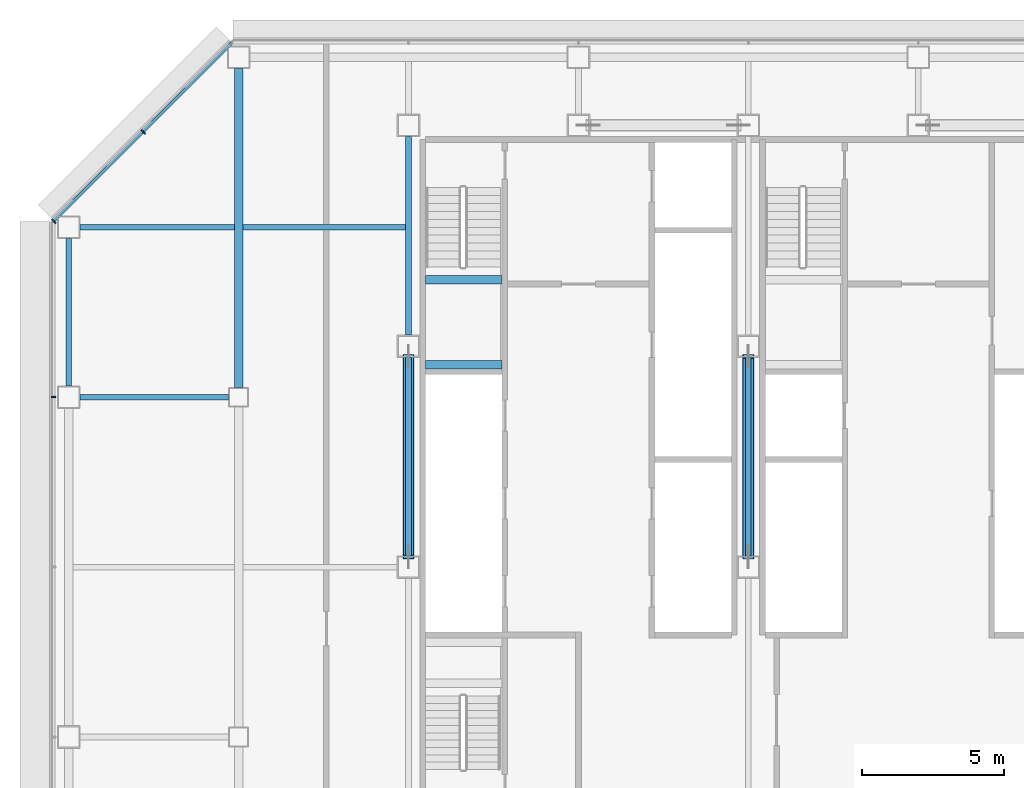
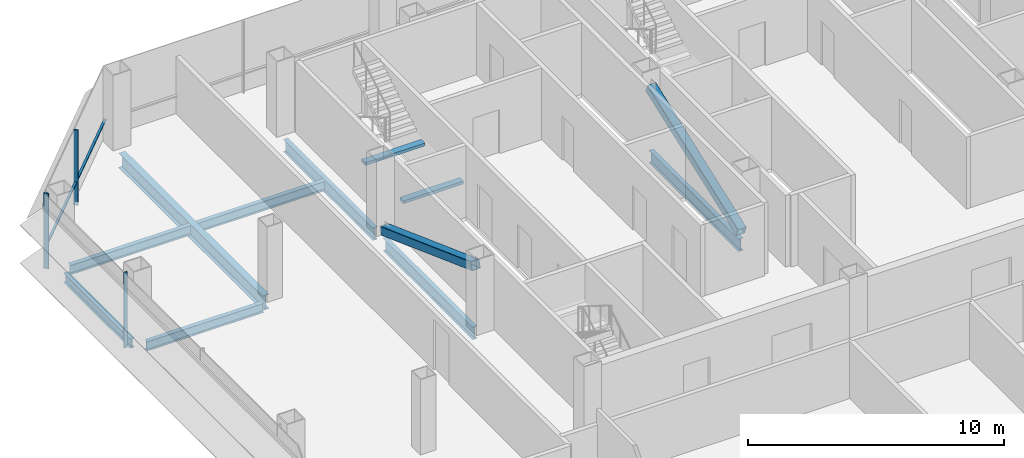
# One storey, part 11 of 25: 10 beams, 6 members, 2 elements without a shape of their own.
"""IFC4 building model written with IfcOpenShell, lengths in metres."""

from ifc_helpers import new_model, si_unit, direction, frame, origin, origin_2d, place, context, subcontext, project, spatial, rectangle, hollow_rectangle, i_section, extrude, material, material_profile, profile_set, type_object, element, aggregate, save


model = new_model("IFC4")

# Units and contexts
model_context = context("Model", 3, precision=1e-05, world=origin(), true_north=direction((0.0, 1.0)))
body_context = subcontext(model_context, "Body", "Model", "MODEL_VIEW")
ifc_project = project(units=[si_unit("LENGTHUNIT", "METRE"), si_unit("AREAUNIT", "SQUARE_METRE"), si_unit("VOLUMEUNIT", "CUBIC_METRE"), si_unit("PLANEANGLEUNIT", "RADIAN"), si_unit("MASSUNIT", "GRAM", prefix="KILO")], contexts=[model_context])

# Site, building, storey
site_placement = place(None, origin())
site = spatial("IfcSite", under=ifc_project, at=site_placement, CompositionType="ELEMENT")
building_placement = place(site_placement, origin())
building = spatial("IfcBuilding", under=site, at=building_placement, Name="Sorahane Residences", CompositionType="ELEMENT")
storey_placement = place(building_placement, frame((0.0, 0.0, 107.0)))
storey = spatial("IfcBuildingStorey", under=building, at=storey_placement, Name="L23", CompositionType="ELEMENT", Elevation=107.0)

# Members
ifc_material_1 = material(Name="Steel Q355B", Category="steel")
ifc_material_profile_1 = material_profile(ifc_material_1, hollow_rectangle(XDim=0.39990234375, YDim=0.39990234375, WallThickness=0.02001953125, InnerFilletRadius=0.010009765625, OuterFilletRadius=0.030029296875, at=origin_2d()), Name="RHS 400x400x20")
ifc_profile_set_1 = profile_set([ifc_material_profile_1], Name="Steel Q355B")
member_type_1 = type_object("IfcMemberType", Name="Core brace RHS 400x400x20 Q355B", PredefinedType="BRACE", material=ifc_profile_set_1)
for number, where, z_axis, x_axis, name in (
    (1, (6.0, 37.44140625, 0.184814453125), (0.0, -0.938733651637, 0.344643484319), (1.0, 0.0, 0.0), "Core brace L23 x6-2"),
    (2, (18.0, 30.358642578125, 0.184814453125), (0.0, 0.938733651637, 0.344643484319), (-1.0, 0.0, 0.0), "Core brace L23 x18-1"),
):
    element("IfcMember", number, at=place(storey_placement, frame(where, z_axis=z_axis, x_axis=x_axis)), inside=storey, type_object=member_type_1, Name=name, PredefinedType="BRACE", context=body_context, shape_type="SweptSolid", body=[
        extrude(hollow_rectangle(XDim=0.39990234375, YDim=0.39990234375, WallThickness=0.02001953125, InnerFilletRadius=0.010009765625, OuterFilletRadius=0.030029296875, at=origin_2d()), origin(), (0.0, 0.0, 1.0), 7.544921875),
    ])

# Curtain wall, member
ifc_material_2 = material(Name="Dark low-e glass and black anodised aluminium", Category="aluminium")
curtain_wall_type_1 = type_object("IfcCurtainWallType", Name="Curtain wall CW-1 Typical unitised wall", PredefinedType="NOTDEFINED", material=ifc_material_2)
curtain_wall_1_placement = place(storey_placement, origin())
curtain_wall_1 = element("IfcCurtainWall", 3, at=curtain_wall_1_placement, inside=storey, type_object=curtain_wall_type_1, Name="CW-1 curtain wall L23 W1", PredefinedType="NOTDEFINED")
ifc_material_3 = material(Name="Black anodised aluminium", Category="aluminium")
ifc_material_profile_2 = material_profile(ifc_material_3, rectangle(XDim=0.159912109375, YDim=0.050048828125, at=origin_2d()), Name="Curtain wall mullion CW-1 black anodised aluminium 50x160")
ifc_profile_set_2 = profile_set([ifc_material_profile_2], Name="Black anodised aluminium")
member_type_2 = type_object("IfcMemberType", Name="Curtain wall mullion CW-1 black anodised aluminium 50x160", PredefinedType="MULLION", material=ifc_profile_set_2)
member_1_placement = place(storey_placement, frame((-6.5400390625, 36.0, -0.179931640625), z_axis=(0.0, 0.0, 1.0), x_axis=(-1.0, 0.0, 0.0)))
member_1 = element("IfcMember", 4, at=member_1_placement, type_object=member_type_2, Name="CW-1 mullion L23 W1.2", PredefinedType="MULLION", context=body_context, shape_type="SweptSolid", body=[
    extrude(rectangle(XDim=0.159912109375, YDim=0.050048828125, at=origin_2d()), origin(), (0.0, 0.0, 1.0), 3.599853515625),
])
aggregate(curtain_wall_1, [member_1])

# Curtain wall, members
ifc_material_4 = material(Name="Dark low-e glass and black anodised aluminium", Category="aluminium")
curtain_wall_type_2 = type_object("IfcCurtainWallType", Name="Curtain wall CW-2 Chamfer unitised wall", PredefinedType="NOTDEFINED", material=ifc_material_4)
curtain_wall_2_placement = place(storey_placement, origin())
curtain_wall_2 = element("IfcCurtainWall", 5, at=curtain_wall_2_placement, inside=storey, type_object=curtain_wall_type_2, Name="CW-2 curtain wall L23 NW1", PredefinedType="NOTDEFINED")
ifc_material_5 = material(Name="Black anodised aluminium", Category="aluminium")
ifc_material_profile_3 = material_profile(ifc_material_5, rectangle(XDim=0.199951171875, YDim=0.050048828125, at=origin_2d()), Name="Curtain wall mullion CW-2 black anodised aluminium 50x200")
ifc_profile_set_3 = profile_set([ifc_material_profile_3], Name="Black anodised aluminium")
member_type_3 = type_object("IfcMemberType", Name="Curtain wall mullion CW-2 black anodised aluminium 50x200", PredefinedType="MULLION", material=ifc_profile_set_3)
member_2_placement = place(storey_placement, frame((-3.36767578125, 45.36767578125, -0.179931640625), z_axis=(0.0, 0.0, 1.0), x_axis=(-0.707106781187, 0.707106781187, 0.0)))
member_2 = element("IfcMember", 6, at=member_2_placement, type_object=member_type_3, Name="CW-2 mullion L23 NW1.2", PredefinedType="MULLION", context=body_context, shape_type="SweptSolid", body=[
    extrude(rectangle(XDim=0.199951171875, YDim=0.050048828125, at=origin_2d()), origin(), (0.0, 0.0, 1.0), 3.599853515625),
])
member_3_placement = place(storey_placement, frame((-6.525634765625, 42.209716796875, -0.179931640625), z_axis=(0.0, 0.0, 1.0), x_axis=(-0.707106781187, 0.707106781187, 0.0)))
member_3 = element("IfcMember", 7, at=member_3_placement, type_object=member_type_3, Name="CW-2 mullion L23 NW1.3", PredefinedType="MULLION", context=body_context, shape_type="SweptSolid", body=[
    extrude(rectangle(XDim=0.199951171875, YDim=0.050048828125, at=origin_2d()), origin(), (0.0, 0.0, 1.0), 3.599853515625),
])
ifc_material_6 = material(Name="Black anodised aluminium", Category="aluminium")
ifc_material_profile_4 = material_profile(ifc_material_6, rectangle(XDim=0.10009765625, YDim=0.06005859375, at=origin_2d()), Name="Curtain wall transom CW-2 black anodised aluminium 60x100")
ifc_profile_set_4 = profile_set([ifc_material_profile_4], Name="Black anodised aluminium")
member_type_4 = type_object("IfcMemberType", Name="Curtain wall transom CW-2 black anodised aluminium 60x100", PredefinedType="USERDEFINED", material=ifc_profile_set_4)
member_4_placement = place(storey_placement, frame((-0.234375, 48.51513671875, 0.89990234375), z_axis=(-0.707106781187, -0.707106781187, 0.0), x_axis=(0.707106781187, -0.707106781187, 0.0)))
member_4 = element("IfcMember", 8, at=member_4_placement, type_object=member_type_4, Name="CW-2 transom L23 NW1", ObjectType="TRANSOM", PredefinedType="USERDEFINED", context=body_context, shape_type="SweptSolid", body=[
    extrude(rectangle(XDim=0.10009765625, YDim=0.06005859375, at=origin_2d()), origin(), (0.0, 0.0, 1.0), 8.88232421875),
])
aggregate(curtain_wall_2, [member_2, member_3, member_4])

# Beams
ifc_material_7 = material(Name="Concrete C40", Category="concrete")
ifc_material_profile_5 = material_profile(ifc_material_7, rectangle(XDim=0.300048828125, YDim=0.139892578125, at=origin_2d()), Name="300x140")
ifc_profile_set_5 = profile_set([ifc_material_profile_5], Name="Concrete C40")
beam_type_1 = type_object("IfcBeamType", Name="RC landing beam 300 x 140 Concrete C40", PredefinedType="BEAM", material=ifc_profile_set_5)
for number, where, z_axis, x_axis, name in (
    (9, (6.60009765625, 37.14990234375, 1.530029296875), (1.0, 0.0, 0.0), (0.0, 1.0, 0.0), "Landing beam"),
    (10, (6.60009765625, 40.14990234375, 1.530029296875), (1.0, 0.0, 0.0), (0.0, 1.0, 0.0), "Landing beam"),
):
    element("IfcBeam", number, at=place(storey_placement, frame(where, z_axis=z_axis, x_axis=x_axis)), inside=storey, type_object=beam_type_1, Name=name, PredefinedType="BEAM", context=body_context, shape_type="SweptSolid", body=[
        extrude(rectangle(XDim=0.300048828125, YDim=0.139892578125, at=origin_2d()), origin(), (0.0, 0.0, 1.0), 2.699951171875),
    ])
ifc_material_8 = material(Name="Steel Q355B", Category="steel")
ifc_material_profile_6 = material_profile(ifc_material_8, i_section(OverallWidth=0.199951171875, OverallDepth=0.449951171875, WebThickness=0.009033203125, FlangeThickness=0.013916015625, FilletRadius=0.02001953125, at=origin_2d()), Name="HN 450x200x9x14")
ifc_profile_set_6 = profile_set([ifc_material_profile_6], Name="Steel Q355B")
beam_type_2 = type_object("IfcBeamType", Name="Steel floor beam HN 450x200x9x14 Q355B", PredefinedType="BEAM", material=ifc_profile_set_6)
beam_1_placement = place(storey_placement, frame((-5.60009765625, 36.0, -0.405029296875), z_axis=(1.0, 0.0, 0.0), x_axis=(0.0, 1.0, 0.0)))
element("IfcBeam", 11, at=beam_1_placement, inside=storey, type_object=beam_type_2, Name="Beam L23 013", PredefinedType="BEAM", context=body_context, shape_type="SweptSolid", body=[
    extrude(i_section(OverallWidth=0.199951171875, OverallDepth=0.449951171875, WebThickness=0.009033203125, FlangeThickness=0.013916015625, FilletRadius=0.02001953125, at=origin_2d()), origin(), (0.0, 0.0, 1.0), 5.25),
])
beam_2_placement = place(storey_placement, frame((-6.0, 36.39990234375, -0.405029296875), z_axis=(0.0, 1.0, 0.0), x_axis=(-1.0, 0.0, 0.0)))
element("IfcBeam", 12, at=beam_2_placement, inside=storey, type_object=beam_type_2, Name="Beam L23 023", PredefinedType="BEAM", context=body_context, shape_type="SweptSolid", body=[
    extrude(i_section(OverallWidth=0.199951171875, OverallDepth=0.449951171875, WebThickness=0.009033203125, FlangeThickness=0.013916015625, FilletRadius=0.02001953125, at=origin_2d()), origin(), (0.0, 0.0, 1.0), 5.2001953125),
])
beam_3_placement = place(storey_placement, frame((-5.60009765625, 42.0, -0.405029296875), z_axis=(1.0, 0.0, 0.0), x_axis=(0.0, 1.0, 0.0)))
element("IfcBeam", 13, at=beam_3_placement, inside=storey, type_object=beam_type_2, Name="Beam L23 089", PredefinedType="BEAM", context=body_context, shape_type="SweptSolid", body=[
    extrude(i_section(OverallWidth=0.199951171875, OverallDepth=0.449951171875, WebThickness=0.009033203125, FlangeThickness=0.013916015625, FilletRadius=0.02001953125, at=origin_2d()), origin(), (0.0, 0.0, 1.0), 5.4501953125),
])
beam_4_placement = place(storey_placement, frame((0.14990234375, 42.0, -0.405029296875), z_axis=(1.0, 0.0, 0.0), x_axis=(0.0, 1.0, 0.0)))
element("IfcBeam", 14, at=beam_4_placement, inside=storey, type_object=beam_type_2, Name="Beam L23 090", PredefinedType="BEAM", context=body_context, shape_type="SweptSolid", body=[
    extrude(i_section(OverallWidth=0.199951171875, OverallDepth=0.449951171875, WebThickness=0.009033203125, FlangeThickness=0.013916015625, FilletRadius=0.02001953125, at=origin_2d()), origin(), (0.0, 0.0, 1.0), 5.75),
])
ifc_material_9 = material(Name="Steel Q355B", Category="steel")
ifc_material_profile_7 = material_profile(ifc_material_9, i_section(OverallWidth=0.199951171875, OverallDepth=0.60009765625, WebThickness=0.010986328125, FlangeThickness=0.01708984375, FilletRadius=0.02392578125, at=origin_2d()), Name="HN 600x200x11x17")
ifc_profile_set_7 = profile_set([ifc_material_profile_7], Name="Steel Q355B")
beam_type_3 = type_object("IfcBeamType", Name="Steel floor beam HN 600x200x11x17 Q355B", PredefinedType="BEAM", material=ifc_profile_set_7)
for number, where, z_axis, x_axis, name in (
    (15, (6.0, 30.39990234375, -0.47998046875), (0.0, 1.0, 0.0), (-1.0, 0.0, 0.0), "Beam L23 031"),
    (16, (6.0, 38.199951171875, -0.47998046875), (0.0, 1.0, 0.0), (-1.0, 0.0, 0.0), "Beam L23 032"),
    (17, (18.0, 30.39990234375, -0.47998046875), (0.0, 1.0, 0.0), (-1.0, 0.0, 0.0), "Beam L23 039"),
):
    element("IfcBeam", number, at=place(storey_placement, frame(where, z_axis=z_axis, x_axis=x_axis)), inside=storey, type_object=beam_type_3, Name=name, PredefinedType="BEAM", context=body_context, shape_type="SweptSolid", body=[
        extrude(i_section(OverallWidth=0.199951171875, OverallDepth=0.60009765625, WebThickness=0.010986328125, FlangeThickness=0.01708984375, FilletRadius=0.02392578125, at=origin_2d()), origin(), (0.0, 0.0, 1.0), 7.0),
    ])
ifc_material_10 = material(Name="Steel Q355B", Category="steel")
ifc_material_profile_8 = material_profile(ifc_material_10, i_section(OverallWidth=0.300048828125, OverallDepth=0.699951171875, WebThickness=0.012939453125, FlangeThickness=0.02392578125, FilletRadius=0.028076171875, at=origin_2d()), Name="HN 700x300x13x24")
ifc_profile_set_8 = profile_set([ifc_material_profile_8], Name="Steel Q355B")
beam_type_4 = type_object("IfcBeamType", Name="Steel floor beam HN 700x300x13x24 Q355B", PredefinedType="BEAM", material=ifc_profile_set_8)
beam_5_placement = place(storey_placement, frame((0.0, 36.35009765625, -0.530029296875), z_axis=(0.0, 1.0, 0.0), x_axis=(-1.0, 0.0, 0.0)))
element("IfcBeam", 18, at=beam_5_placement, inside=storey, type_object=beam_type_4, Name="Beam L23 027", PredefinedType="BEAM", context=body_context, shape_type="SweptSolid", body=[
    extrude(i_section(OverallWidth=0.300048828125, OverallDepth=0.699951171875, WebThickness=0.012939453125, FlangeThickness=0.02392578125, FilletRadius=0.028076171875, at=origin_2d()), origin(), (0.0, 0.0, 1.0), 11.25),
])

save(model, "model.ifc")
